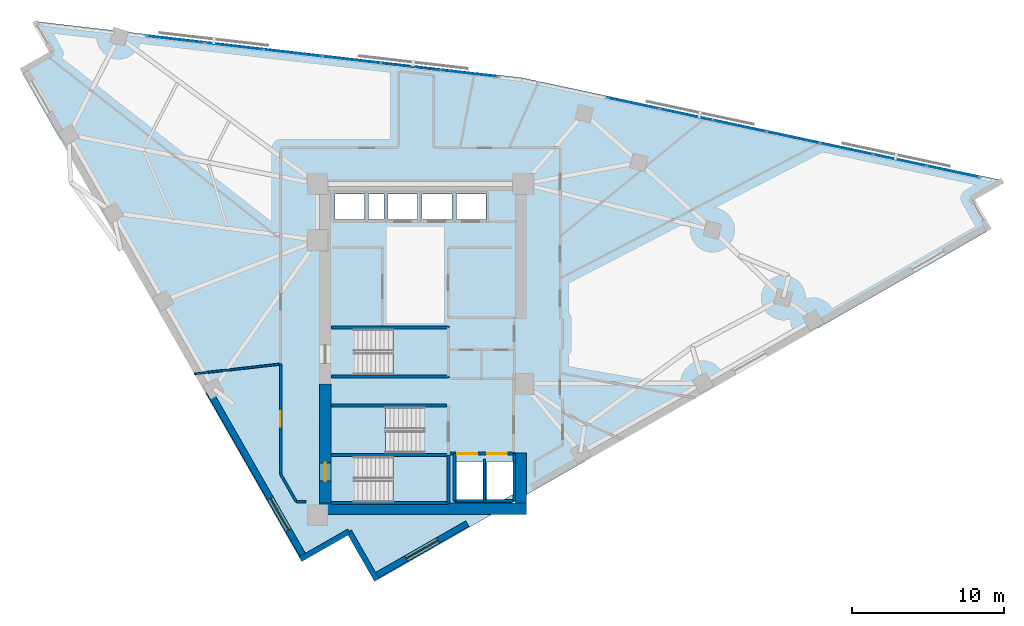
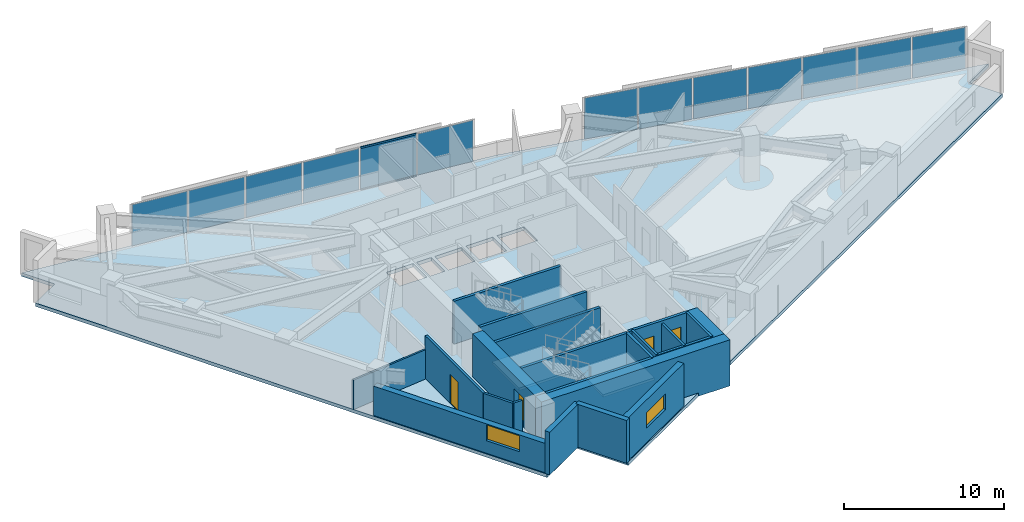
# One storey, part 8 of 13: 22 walls, 13 plates, 4 doors, 4 slabs, 2 members, 2 windows, 6 openings, 5 elements without a shape of their own.
"""IFC4 building model written with IfcOpenShell, lengths in metres."""

from ifc_helpers import new_model, si_unit, direction, frame, frame_2d, origin, origin_2d, place, context, subcontext, project, spatial, polyline, rectangle, hollow_rectangle, outline, extrude, material, layer, layer_set, material_profile, profile_set, type_object, element, fill, aggregate, save


model = new_model("IFC4")

# Units and contexts
model_context = context("Model", 3, precision=1e-05, world=origin(), true_north=direction((0.0, 1.0)))
body_context = subcontext(model_context, "Body", "Model", "MODEL_VIEW")
ifc_project = project(units=[si_unit("LENGTHUNIT", "METRE"), si_unit("AREAUNIT", "SQUARE_METRE"), si_unit("VOLUMEUNIT", "CUBIC_METRE"), si_unit("PLANEANGLEUNIT", "RADIAN"), si_unit("MASSUNIT", "GRAM", prefix="KILO")], contexts=[model_context])

# Site, building, storey
site_placement = place(None, origin())
site = spatial("IfcSite", under=ifc_project, at=site_placement, CompositionType="ELEMENT")
building_placement = place(site_placement, origin())
building = spatial("IfcBuilding", under=site, at=building_placement, Name="Narakoshi Arena Tower", CompositionType="ELEMENT")
storey_placement = place(building_placement, frame((0.0, 0.0, 229.06005859375)))
storey = spatial("IfcBuildingStorey", under=building, at=storey_placement, Name="L62", CompositionType="ELEMENT", Elevation=229.06005859375)

# Curtain wall, members
ifc_material_1 = material(Name="Anodised bronze aluminium 6063-T6", Category="aluminium")
curtain_wall_type = type_object("IfcCurtainWallType", Name="CW-HYP-MID", PredefinedType="NOTDEFINED", material=ifc_material_1)
curtain_wall_1_placement = place(storey_placement, origin())
curtain_wall_1 = element("IfcCurtainWall", 1, at=curtain_wall_1_placement, inside=storey, type_object=curtain_wall_type, Name="L62 Folded Hypotenuse Curtain Wall 2-1", PredefinedType="NOTDEFINED")
ifc_material_profile = material_profile(ifc_material_1, hollow_rectangle(XDim=0.06494140625, YDim=0.1298828125, WallThickness=0.00390625, OuterFilletRadius=0.0048828125, at=origin_2d()), Name="TRN130x65x4")
ifc_profile_set = profile_set([ifc_material_profile], Name="Anodised bronze aluminium 6063-T6")
member_type = type_object("IfcMemberType", Name="MEM-TRN-130", PredefinedType="USERDEFINED", material=ifc_profile_set)
member_1_placement = place(storey_placement, frame((80.032470703125, 64.002685546875, 0.032470703125), z_axis=(-0.993360986362, 0.115038909828, 0.0), x_axis=(-0.115038909828, -0.993360986362, 0.0)))
member_1 = element("IfcMember", 2, at=member_1_placement, type_object=member_type, Name="CW-02 transom 2.1", ObjectType="TRANSOM", PredefinedType="USERDEFINED", context=body_context, shape_type="SweptSolid", body=[
    extrude(hollow_rectangle(XDim=0.06494140625, YDim=0.1298828125, WallThickness=0.00390625, OuterFilletRadius=0.0048828125, at=origin_2d()), origin(), (0.0, 0.0, 1.0), 3.820068359375),
])
member_2_placement = place(storey_placement, frame((80.032470703125, 64.002685546875, 3.2275390625), z_axis=(-0.993360986362, 0.115038909828, 0.0), x_axis=(-0.115038909828, -0.993360986362, 0.0)))
member_2 = element("IfcMember", 3, at=member_2_placement, type_object=member_type, Name="CW-02 transom 2.2", ObjectType="TRANSOM", PredefinedType="USERDEFINED", context=body_context, shape_type="SweptSolid", body=[
    extrude(hollow_rectangle(XDim=0.06494140625, YDim=0.1298828125, WallThickness=0.00390625, OuterFilletRadius=0.0048828125, at=origin_2d()), origin(), (0.0, 0.0, 1.0), 3.820068359375),
])

# Curtain wall, plates
curtain_wall_2_placement = place(storey_placement, origin())
curtain_wall_2 = element("IfcCurtainWall", 4, at=curtain_wall_2_placement, inside=storey, type_object=curtain_wall_type, Name="L62 Folded Hypotenuse Curtain Wall 1-1", PredefinedType="NOTDEFINED")
ifc_material_2 = material(Name="Bronze-tinted low-E laminated glass", Category="glass")
ifc_layer_1 = layer(ifc_material_2, 0.0380859375)
ifc_layer_set_1 = layer_set([ifc_layer_1], Name="Bronze-tinted low-E laminated glass")
plate_type = type_object("IfcPlateType", Name="PLT-GLZ-38", PredefinedType="CURTAIN_PANEL", material=ifc_layer_set_1)
plate_1_placement = place(storey_placement, frame((113.835205078125, 57.3095703125, 0.06494140625), z_axis=(0.0, 0.0, 1.0), x_axis=(-0.977937185914, 0.208899163248, 0.0)))
plate_1 = element("IfcPlate", 5, at=plate_1_placement, type_object=plate_type, Name="CW-02 panel 1.1", PredefinedType="CURTAIN_PANEL", context=body_context, shape_type="SweptSolid", body=[
    extrude(rectangle(XDim=3.48095703125, YDim=0.0380859375, at=origin_2d()), origin(), (0.0, 0.0, 1.0), 3.1298828125),
])
plate_2_placement = place(storey_placement, frame((110.33935546875, 58.056396484375, 0.06494140625), z_axis=(0.0, 0.0, 1.0), x_axis=(-0.977937185914, 0.208899163248, 0.0)))
plate_2 = element("IfcPlate", 6, at=plate_2_placement, type_object=plate_type, Name="CW-02 panel 2.1", PredefinedType="CURTAIN_PANEL", context=body_context, shape_type="SweptSolid", body=[
    extrude(rectangle(XDim=3.518310546875, YDim=0.0380859375, at=origin_2d()), origin(), (0.0, 0.0, 1.0), 3.1298828125),
])
plate_3_placement = place(storey_placement, frame((106.8251953125, 58.806884765625, 0.06494140625), z_axis=(0.0, 0.0, 1.0), x_axis=(-0.977937185914, 0.208899163248, 0.0)))
plate_3 = element("IfcPlate", 7, at=plate_3_placement, type_object=plate_type, Name="CW-02 panel 3.1", PredefinedType="CURTAIN_PANEL", context=body_context, shape_type="SweptSolid", body=[
    extrude(rectangle(XDim=3.518310546875, YDim=0.0380859375, at=origin_2d()), origin(), (0.0, 0.0, 1.0), 3.1298828125),
])
plate_4_placement = place(storey_placement, frame((103.31103515625, 59.5576171875, 0.06494140625), z_axis=(0.0, 0.0, 1.0), x_axis=(-0.977937185914, 0.208899163248, 0.0)))
plate_4 = element("IfcPlate", 8, at=plate_4_placement, type_object=plate_type, Name="CW-02 panel 4.1", PredefinedType="CURTAIN_PANEL", context=body_context, shape_type="SweptSolid", body=[
    extrude(rectangle(XDim=3.518310546875, YDim=0.0380859375, at=origin_2d()), origin(), (0.0, 0.0, 1.0), 3.1298828125),
])
plate_5_placement = place(storey_placement, frame((99.796875, 60.308349609375, 0.06494140625), z_axis=(0.0, 0.0, 1.0), x_axis=(-0.977937185914, 0.208899163248, 0.0)))
plate_5 = element("IfcPlate", 9, at=plate_5_placement, type_object=plate_type, Name="CW-02 panel 5.1", PredefinedType="CURTAIN_PANEL", context=body_context, shape_type="SweptSolid", body=[
    extrude(rectangle(XDim=3.518310546875, YDim=0.0380859375, at=origin_2d()), origin(), (0.0, 0.0, 1.0), 3.1298828125),
])
plate_6_placement = place(storey_placement, frame((96.282958984375, 61.058837890625, 0.06494140625), z_axis=(0.0, 0.0, 1.0), x_axis=(-0.977937185914, 0.208899163248, 0.0)))
plate_6 = element("IfcPlate", 10, at=plate_6_placement, type_object=plate_type, Name="CW-02 panel 6.1", PredefinedType="CURTAIN_PANEL", context=body_context, shape_type="SweptSolid", body=[
    extrude(rectangle(XDim=3.518310546875, YDim=0.0380859375, at=origin_2d()), origin(), (0.0, 0.0, 1.0), 3.1298828125),
])
plate_7_placement = place(storey_placement, frame((92.787109375, 61.8056640625, 0.06494140625), z_axis=(0.0, 0.0, 1.0), x_axis=(-0.977937185914, 0.208899163248, 0.0)))
plate_7 = element("IfcPlate", 11, at=plate_7_placement, type_object=plate_type, Name="CW-02 panel 7.1", PredefinedType="CURTAIN_PANEL", context=body_context, shape_type="SweptSolid", body=[
    extrude(rectangle(XDim=3.48095703125, YDim=0.0380859375, at=origin_2d()), origin(), (0.0, 0.0, 1.0), 3.1298828125),
])
aggregate(curtain_wall_2, [plate_1, plate_2, plate_3, plate_4, plate_5, plate_6, plate_7])

# Plate
plate_8_placement = place(storey_placement, frame((81.985595703125, 63.776611328125, 0.06494140625), z_axis=(0.0, 0.0, 1.0), x_axis=(-0.993364183774, 0.115011296816, 0.0)))
plate_8 = element("IfcPlate", 12, at=plate_8_placement, type_object=plate_type, Name="CW-02 panel 1.1", PredefinedType="CURTAIN_PANEL", context=body_context, shape_type="SweptSolid", body=[
    extrude(rectangle(XDim=3.782470703125, YDim=0.0380859375, at=origin_2d()), origin(), (0.0, 0.0, 1.0), 3.1298828125),
])

plate_9_placement = place(storey_placement, frame((78.13525390625, 64.222412109375, 0.06494140625), z_axis=(0.0, 0.0, 1.0), x_axis=(-0.993364183774, 0.115011296816, 0.0)))
plate_9 = element("IfcPlate", 13, at=plate_9_placement, type_object=plate_type, Name="CW-02 panel 2.1", PredefinedType="CURTAIN_PANEL", context=body_context, shape_type="SweptSolid", body=[
    extrude(rectangle(XDim=3.820068359375, YDim=0.0380859375, at=origin_2d()), origin(), (0.0, 0.0, 1.0), 3.1298828125),
])

plate_10_placement = place(storey_placement, frame((74.26611328125, 64.67041015625, 0.06494140625), z_axis=(0.0, 0.0, 1.0), x_axis=(-0.993364183774, 0.115011296816, 0.0)))
plate_10 = element("IfcPlate", 14, at=plate_10_placement, type_object=plate_type, Name="CW-02 panel 3.1", PredefinedType="CURTAIN_PANEL", context=body_context, shape_type="SweptSolid", body=[
    extrude(rectangle(XDim=3.820068359375, YDim=0.0380859375, at=origin_2d()), origin(), (0.0, 0.0, 1.0), 3.1298828125),
])

plate_11_placement = place(storey_placement, frame((70.39697265625, 65.118408203125, 0.06494140625), z_axis=(0.0, 0.0, 1.0), x_axis=(-0.993364183774, 0.115011296816, 0.0)))
plate_11 = element("IfcPlate", 15, at=plate_11_placement, type_object=plate_type, Name="CW-02 panel 4.1", PredefinedType="CURTAIN_PANEL", context=body_context, shape_type="SweptSolid", body=[
    extrude(rectangle(XDim=3.820068359375, YDim=0.0380859375, at=origin_2d()), origin(), (0.0, 0.0, 1.0), 3.1298828125),
])

plate_12_placement = place(storey_placement, frame((66.52783203125, 65.56640625, 0.06494140625), z_axis=(0.0, 0.0, 1.0), x_axis=(-0.993364183774, 0.115011296816, 0.0)))
plate_12 = element("IfcPlate", 16, at=plate_12_placement, type_object=plate_type, Name="CW-02 panel 5.1", PredefinedType="CURTAIN_PANEL", context=body_context, shape_type="SweptSolid", body=[
    extrude(rectangle(XDim=3.820068359375, YDim=0.0380859375, at=origin_2d()), origin(), (0.0, 0.0, 1.0), 3.1298828125),
])

plate_13_placement = place(storey_placement, frame((62.67724609375, 66.01220703125, 0.06494140625), z_axis=(0.0, 0.0, 1.0), x_axis=(-0.993364183774, 0.115011296816, 0.0)))
plate_13 = element("IfcPlate", 17, at=plate_13_placement, type_object=plate_type, Name="CW-02 panel 6.1", PredefinedType="CURTAIN_PANEL", context=body_context, shape_type="SweptSolid", body=[
    extrude(rectangle(XDim=3.782470703125, YDim=0.0380859375, at=origin_2d()), origin(), (0.0, 0.0, 1.0), 3.1298828125),
])

aggregate(curtain_wall_1, [plate_8, member_1, member_2, plate_9, plate_10, plate_11, plate_12, plate_13])

# Stair, slab
ifc_material_3 = material(Name="Concrete C45/55", Category="concrete")
stair_type = type_object("IfcStairType", Name="STR-CORE-352", PredefinedType="TWO_STRAIGHT_RUN_STAIR", material=ifc_material_3)
stair_1_placement = place(storey_placement, origin())
stair_1 = element("IfcStair", 18, at=stair_1_placement, inside=storey, type_object=stair_type, Name="L62 Core Escape Stair ST1", PredefinedType="TWO_STRAIGHT_RUN_STAIR")
ifc_layer_2 = layer(ifc_material_3, 0.18994140625)
ifc_layer_set_2 = layer_set([ifc_layer_2], Name="Concrete C45/55")
slab_type_1 = type_object("IfcSlabType", Name="SLB-LND-190", PredefinedType="LANDING", material=ifc_layer_set_2)
slab_1_placement = place(storey_placement, frame((0.0, 0.0, 1.56982421875)))
slab_1 = element("IfcSlab", 19, at=slab_1_placement, type_object=slab_type_1, Name="ST1 landing 1", PredefinedType="LANDING", context=body_context, shape_type="SweptSolid", body=[
    extrude(outline(polyline([(76.965087890625, 35.3701171875), (80.679931640625, 35.3701171875), (80.679931640625, 38.72998046875), (76.965087890625, 38.72998046875), (76.965087890625, 35.3701171875)])), origin(), (0.0, 0.0, 1.0), 0.190185546875),
])
aggregate(stair_1, [slab_1])

stair_2_placement = place(storey_placement, origin())
stair_2 = element("IfcStair", 20, at=stair_2_placement, inside=storey, type_object=stair_type, Name="L62 Core Escape Stair ST2", PredefinedType="TWO_STRAIGHT_RUN_STAIR")
slab_2_placement = place(storey_placement, frame((0.0, 0.0, 1.56982421875)))
slab_2 = element("IfcSlab", 21, at=slab_2_placement, type_object=slab_type_1, Name="ST2 landing 1", PredefinedType="LANDING", context=body_context, shape_type="SweptSolid", body=[
    extrude(outline(polyline([(72.77001953125, 38.6201171875), (76.485107421875, 38.6201171875), (76.485107421875, 41.97998046875), (72.77001953125, 41.97998046875), (72.77001953125, 38.6201171875)])), origin(), (0.0, 0.0, 1.0), 0.190185546875),
])
aggregate(stair_2, [slab_2])

stair_3_placement = place(storey_placement, origin())
stair_3 = element("IfcStair", 22, at=stair_3_placement, inside=storey, type_object=stair_type, Name="L62 Core Escape Stair ST3", PredefinedType="TWO_STRAIGHT_RUN_STAIR")
slab_3_placement = place(storey_placement, frame((0.0, 0.0, 1.56982421875)))
slab_3 = element("IfcSlab", 23, at=slab_3_placement, type_object=slab_type_1, Name="ST3 landing 1", PredefinedType="LANDING", context=body_context, shape_type="SweptSolid", body=[
    extrude(outline(polyline([(76.965087890625, 43.77001953125), (80.679931640625, 43.77001953125), (80.679931640625, 47.1298828125), (76.965087890625, 47.1298828125), (76.965087890625, 43.77001953125)])), origin(), (0.0, 0.0, 1.0), 0.190185546875),
])
aggregate(stair_3, [slab_3])

# Slab
ifc_material_4 = material(Name="Concrete C50/60", Category="concrete")
ifc_layer_3 = layer(ifc_material_4, 0.260009765625)
ifc_layer_set_3 = layer_set([ifc_layer_3], Name="Concrete C50/60")
slab_type_2 = type_object("IfcSlabType", Name="SLB-SKY-260", PredefinedType="FLOOR", material=ifc_layer_set_3)
slab_4_placement = place(storey_placement, frame((0.0, 0.0, -0.260009765625)))
element("IfcSlab", 24, at=slab_4_placement, inside=storey, type_object=slab_type_2, Name="L62 Structural Floor Slab", PredefinedType="FLOOR", context=body_context, shape_type="SweptSolid", body=[
    extrude(outline(polyline([(75.915771484375, 30.43017578125), (116.209716796875, 53.460205078125), (115.01904296875, 55.54345703125), (117.1025390625, 56.734375), (85.442626953125, 63.497314453125), (53.408203125, 67.2060546875), (54.59912109375, 65.122802734375), (52.515625, 63.931884765625), (70.87841796875, 31.803466796875), (74.083740234375, 33.635498046875), (75.915771484375, 30.43017578125)]), holes=[polyline([(80.5, 35.550048828125), (74.47998046875, 35.550048828125), (74.47998046875, 38.550048828125), (80.5, 38.550048828125), (80.5, 35.550048828125)]), polyline([(82.89990234375, 35.75), (81.14990234375, 35.75), (81.14990234375, 38.25), (82.89990234375, 38.25), (82.89990234375, 35.75)]), polyline([(84.89990234375, 36.08349609375), (84.316650390625, 35.75), (83.14990234375, 35.75), (83.14990234375, 38.25), (84.89990234375, 38.25), (84.89990234375, 36.08349609375)]), polyline([(72.949951171875, 38.800048828125), (72.949951171875, 41.800048828125), (78.969970703125, 41.800048828125), (78.969970703125, 38.800048828125), (72.949951171875, 38.800048828125)]), polyline([(74.47998046875, 43.949951171875), (74.47998046875, 46.949951171875), (80.5, 46.949951171875), (80.5, 43.949951171875), (74.47998046875, 43.949951171875)]), polyline([(75.10009765625, 54.14990234375), (73.14990234375, 54.14990234375), (73.14990234375, 55.85009765625), (75.10009765625, 55.85009765625), (75.10009765625, 54.14990234375)]), polyline([(76.39990234375, 54.14990234375), (75.35009765625, 54.14990234375), (75.35009765625, 55.85009765625), (76.39990234375, 55.85009765625), (76.39990234375, 54.14990234375)]), polyline([(78.60009765625, 54.14990234375), (76.64990234375, 54.14990234375), (76.64990234375, 55.85009765625), (78.60009765625, 55.85009765625), (78.60009765625, 54.14990234375)]), polyline([(78.89990234375, 54.14990234375), (78.89990234375, 55.85009765625), (80.85009765625, 55.85009765625), (80.85009765625, 54.14990234375), (78.89990234375, 54.14990234375)]), polyline([(81.14990234375, 54.14990234375), (81.14990234375, 55.85009765625), (83.10009765625, 55.85009765625), (83.10009765625, 54.14990234375), (81.14990234375, 54.14990234375)])]), origin(), (0.0, 0.0, 1.0), 0.260009765625),
])

# Wall, opening, door
ifc_layer_4 = layer(ifc_material_4, 0.75)
ifc_layer_set_4 = layer_set([ifc_layer_4], Name="Concrete C50/60")
wall_type_1 = type_object("IfcWallType", Name="WL-CORE-750", PredefinedType="SHEAR", material=ifc_layer_set_4)
wall_1_placement = place(storey_placement, frame((72.52490234375, 35.5, -0.260009765625), z_axis=(0.0, 0.0, 1.0), x_axis=(0.0, 1.0, 0.0)))
wall_1 = element("IfcWall", 25, at=wall_1_placement, inside=storey, type_object=wall_type_1, Name="L62 Central Core Shear Wall CW-APX-W", PredefinedType="SHEAR", context=body_context, shape_type="SweptSolid", body=[
    extrude(rectangle(XDim=7.85009765625, YDim=0.75, at=frame_2d((3.925048828125, 0.0))), origin(), (0.0, 0.0, 1.0), 3.52001953125),
])
opening_1_placement = place(wall_1_placement, frame((1.449951171875, 0.0, 0.260009765625)))
opening_1 = element("IfcOpeningElement", 26, at=opening_1_placement, cuts=wall_1, Name="Opening D-03", PredefinedType="OPENING", context=body_context, shape_type="SweptSolid", body=[
    extrude(rectangle(XDim=1.199951171875, YDim=2.199951171875, at=frame_2d((0.60009765625, 1.10009765625))), frame((0.0, 0.385009765625, 0.0), z_axis=(0.0, -1.0, 0.0), x_axis=(1.0, 0.0, 0.0)), (0.0, 0.0, 1.0), 0.77001953125),
])
ifc_material_5 = material(Name="Painted galvanized steel", Category="steel")
door_type_1 = type_object("IfcDoorType", Name="DR-STR-1200", OperationType="NOTDEFINED", PredefinedType="USERDEFINED", material=ifc_material_5)
door_1_placement = place(opening_1_placement, frame((1.199951171875, 0.0, 0.0), z_axis=(0.0, 0.0, 1.0), x_axis=(-1.0, 0.0, 0.0)))
door_1 = element("IfcDoor", 27, at=door_1_placement, inside=storey, type_object=door_type_1, Name="DR-L62-001", ObjectType="EXITDOOR", OperationType="SINGLE_SWING_LEFT", OverallHeight=2.199951171875, OverallWidth=1.199951171875, PredefinedType="USERDEFINED", context=body_context, shape_type="SweptSolid", body=[
    extrude(rectangle(XDim=1.199951171875, YDim=2.199951171875, at=frame_2d((0.60009765625, 1.10009765625))), frame((0.0, 0.02490234375, 0.0), z_axis=(0.0, -1.0, 0.0), x_axis=(1.0, 0.0, 0.0)), (0.0, 0.0, 1.0), 0.050048828125),
])
fill(opening_1, door_1)

# Walls
wall_2_placement = place(storey_placement, frame((72.14990234375, 35.125, -0.260009765625), z_axis=(0.0, 0.0, 1.0), x_axis=(1.0, 0.0, 0.0)))
element("IfcWall", 28, at=wall_2_placement, inside=storey, type_object=wall_type_1, Name="L62 Central Core Shear Wall CW-APX-S", PredefinedType="SHEAR", context=body_context, shape_type="SweptSolid", body=[
    extrude(rectangle(XDim=13.60009765625, YDim=0.75, at=frame_2d((6.800048828125, 0.0))), origin(), (0.0, 0.0, 1.0), 3.52001953125),
])
wall_3_placement = place(storey_placement, frame((85.375, 35.5, -0.260009765625), z_axis=(0.0, 0.0, 1.0), x_axis=(0.0, 1.0, 0.0)))
element("IfcWall", 29, at=wall_3_placement, inside=storey, type_object=wall_type_1, Name="L62 Central Core Shear Wall CW-APX-E", PredefinedType="SHEAR", context=body_context, shape_type="SweptSolid", body=[
    extrude(rectangle(XDim=3.300048828125, YDim=0.75, at=frame_2d((1.64990234375, 0.0))), origin(), (0.0, 0.0, 1.0), 3.52001953125),
])

# Wall, opening, door
ifc_material_6 = material(Name="Gypsum plasterboard fire-rated partition")
ifc_layer_5 = layer(ifc_material_6, 0.1650390625)
ifc_layer_set_5 = layer_set([ifc_layer_5], Name="Gypsum plasterboard fire-rated partition")
wall_type_2 = type_object("IfcWallType", Name="WL-CORR-165", PredefinedType="PARTITIONING", material=ifc_layer_set_5)
wall_4_placement = place(storey_placement, frame((69.573486328125, 44.649658203125, 0.0), z_axis=(0.0, 0.0, 1.0), x_axis=(0.0, -1.0, 0.0)))
wall_4 = element("IfcWall", 30, at=wall_4_placement, inside=storey, type_object=wall_type_2, Name="L62 Corridor Partition 01-1", PredefinedType="PARTITIONING", context=body_context, shape_type="SweptSolid", body=[
    extrude(rectangle(XDim=7.238037109375, YDim=0.1650390625, at=frame_2d((3.619140625, 0.0))), origin(), (0.0, 0.0, 1.0), 3.260009765625),
])
opening_2_placement = place(wall_4_placement, frame((3.118896484375, 0.0, 0.0)))
opening_2 = element("IfcOpeningElement", 31, at=opening_2_placement, cuts=wall_4, Name="Opening D-06", PredefinedType="OPENING", context=body_context, shape_type="SweptSolid", body=[
    extrude(rectangle(XDim=1.0, YDim=2.199951171875, at=frame_2d((0.5, 1.10009765625))), frame((0.0, 0.092529296875, 0.0), z_axis=(0.0, -1.0, 0.0), x_axis=(1.0, 0.0, 0.0)), (0.0, 0.0, 1.0), 0.18505859375),
])
ifc_material_7 = material(Name="Stained oak solid-core timber", Category="wood")
door_type_2 = type_object("IfcDoorType", Name="DR-OFF-1000", OperationType="NOTDEFINED", PredefinedType="DOOR", material=ifc_material_7)
door_2_placement = place(opening_2_placement, frame((1.0, 0.0, 0.0), z_axis=(0.0, 0.0, 1.0), x_axis=(-1.0, 0.0, 0.0)))
door_2 = element("IfcDoor", 32, at=door_2_placement, inside=storey, type_object=door_type_2, Name="DR-L62-015", OperationType="SINGLE_SWING_RIGHT", OverallHeight=2.199951171875, OverallWidth=1.0, PredefinedType="DOOR", context=body_context, shape_type="SweptSolid", body=[
    extrude(rectangle(XDim=1.0, YDim=2.199951171875, at=frame_2d((0.5, 1.10009765625))), frame((0.0, 0.02490234375, 0.0), z_axis=(0.0, -1.0, 0.0), x_axis=(1.0, 0.0, 0.0)), (0.0, 0.0, 1.0), 0.050048828125),
])
fill(opening_2, door_2)

# Walls
wall_5_placement = place(storey_placement, frame((69.573486328125, 37.41162109375, 0.0), z_axis=(0.0, 0.0, 1.0), x_axis=(0.496315328589, -0.868142323935, 0.0)))
element("IfcWall", 33, at=wall_5_placement, inside=storey, type_object=wall_type_2, Name="L62 Corridor Partition 01-2", PredefinedType="PARTITIONING", context=body_context, shape_type="SweptSolid", body=[
    extrude(rectangle(XDim=2.086669921875, YDim=0.1650390625, at=frame_2d((1.04345703125, 0.0))), origin(), (0.0, 0.0, 1.0), 3.260009765625),
])
wall_6_placement = place(storey_placement, frame((70.609130859375, 35.60009765625, 0.0), z_axis=(0.0, 0.0, 1.0), x_axis=(1.0, 0.0, 0.0)))
element("IfcWall", 34, at=wall_6_placement, inside=storey, type_object=wall_type_2, Name="L62 Corridor Partition 01-3", PredefinedType="PARTITIONING", context=body_context, shape_type="SweptSolid", body=[
    extrude(rectangle(XDim=0.640869140625, YDim=0.1650390625, at=frame_2d((0.3203125, 0.0))), origin(), (0.0, 0.0, 1.0), 3.260009765625),
])
ifc_layer_6 = layer(ifc_material_6, 0.125)
ifc_layer_set_6 = layer_set([ifc_layer_6], Name="Gypsum plasterboard fire-rated partition")
wall_type_3 = type_object("IfcWallType", Name="WL-PART-125", PredefinedType="PARTITIONING", material=ifc_layer_set_6)
wall_7_placement = place(storey_placement, frame((63.905029296875, 44.00439453125, 0.0), z_axis=(0.0, 0.0, 1.0), x_axis=(0.993582932181, 0.113105954217, 0.0)))
element("IfcWall", 35, at=wall_7_placement, inside=storey, type_object=wall_type_3, Name="L62 Inter-Room Partition 01-09", PredefinedType="PARTITIONING", context=body_context, shape_type="SweptSolid", body=[
    extrude(rectangle(XDim=5.60986328125, YDim=0.125, at=frame_2d((2.804931640625, 0.0))), origin(), (0.0, 0.0, 1.0), 2.237060546875),
])

# Wall, opening, window
ifc_material_8 = material(Name="Precast concrete C45/55", Category="concrete")
ifc_layer_7 = layer(ifc_material_8, 0.419921875)
ifc_layer_set_7 = layer_set([ifc_layer_7], Name="Precast concrete C45/55")
wall_type_4 = type_object("IfcWallType", Name="WL-POD-420", PredefinedType="SOLIDWALL", material=ifc_layer_set_7)
wall_8_placement = place(storey_placement, frame((75.779296875, 30.6689453125, 0.0), z_axis=(0.0, 0.0, 1.0), x_axis=(0.868213158215, 0.496191406519, 0.0)))
wall_8 = element("IfcWall", 36, at=wall_8_placement, inside=storey, type_object=wall_type_4, Name="L62 Architectural Concrete Facade Wall LEGA-1", PredefinedType="SOLIDWALL", context=body_context, shape_type="SweptSolid", body=[
    extrude(rectangle(XDim=7.015380859375, YDim=0.419921875, at=frame_2d((3.5078125, 0.0))), origin(), (0.0, 0.0, 1.0), 3.260009765625),
])
opening_3_placement = place(wall_8_placement, frame((2.376708984375, 0.0, 1.10009765625)))
opening_3 = element("IfcOpeningElement", 37, at=opening_3_placement, cuts=wall_8, Name="Opening WN-04", PredefinedType="OPENING", context=body_context, shape_type="SweptSolid", body=[
    extrude(rectangle(XDim=2.39990234375, YDim=1.199951171875, at=frame_2d((1.199951171875, 0.60009765625))), frame((0.0, 0.219970703125, 0.0), z_axis=(0.0, -1.0, 0.0), x_axis=(1.0, 0.0, 0.0)), (0.0, 0.0, 1.0), 0.43994140625),
])
window_type = type_object("IfcWindowType", Name="WIN-SLT-24x12", PartitioningType="SINGLE_PANEL", PredefinedType="WINDOW", material=ifc_material_2)
window_1_placement = place(opening_3_placement, origin())
window_1 = element("IfcWindow", 38, at=window_1_placement, inside=storey, type_object=window_type, Name="L62 LEGA1 Horizontal Slot Window 1", OverallHeight=1.199951171875, OverallWidth=2.39990234375, PartitioningType="SINGLE_PANEL", PredefinedType="WINDOW", context=body_context, shape_type="SweptSolid", body=[
    extrude(rectangle(XDim=2.39990234375, YDim=1.199951171875, at=frame_2d((1.199951171875, 0.60009765625))), frame((0.0, 0.030029296875, 0.0), z_axis=(0.0, -1.0, 0.0), x_axis=(1.0, 0.0, 0.0)), (0.0, 0.0, 1.0), 0.06005859375),
])
fill(opening_3, window_1)

wall_9_placement = place(storey_placement, frame((64.873779296875, 42.863525390625, 0.0), z_axis=(0.0, 0.0, 1.0), x_axis=(0.49622043329, -0.868196568517, 0.0)))
wall_9 = element("IfcWall", 39, at=wall_9_placement, inside=storey, type_object=wall_type_4, Name="L62 Architectural Concrete Facade Wall LEGB-3", PredefinedType="SOLIDWALL", context=body_context, shape_type="SweptSolid", body=[
    extrude(rectangle(XDim=12.58203125, YDim=0.419921875, at=frame_2d((6.291015625, 0.0))), origin(), (0.0, 0.0, 1.0), 2.237060546875),
])
opening_4_placement = place(wall_9_placement, frame((8.135986328125, 0.0, 0.95703125)))
opening_4 = element("IfcOpeningElement", 40, at=opening_4_placement, cuts=wall_9, Name="Opening WN-04", PredefinedType="OPENING", context=body_context, shape_type="SweptSolid", body=[
    extrude(rectangle(XDim=2.39990234375, YDim=1.199951171875, at=frame_2d((1.199951171875, 0.60009765625))), frame((0.0, 0.219970703125, 0.0), z_axis=(0.0, -1.0, 0.0), x_axis=(1.0, 0.0, 0.0)), (0.0, 0.0, 1.0), 0.43994140625),
])
window_2_placement = place(opening_4_placement, origin())
window_2 = element("IfcWindow", 41, at=window_2_placement, inside=storey, type_object=window_type, Name="L62 LEGB3 Horizontal Slot Window 1", OverallHeight=1.199951171875, OverallWidth=2.39990234375, PartitioningType="SINGLE_PANEL", PredefinedType="WINDOW", context=body_context, shape_type="SweptSolid", body=[
    extrude(rectangle(XDim=2.39990234375, YDim=1.199951171875, at=frame_2d((1.199951171875, 0.60009765625))), frame((0.0, 0.030029296875, 0.0), z_axis=(0.0, -1.0, 0.0), x_axis=(1.0, 0.0, 0.0)), (0.0, 0.0, 1.0), 0.06005859375),
])
fill(opening_4, window_2)

# Walls
for number, where, z_axis, x_axis, name in (
    (42, (70.87841796875, 31.803466796875, 0.0), (0.0, 0.0, 1.0), (0.868194304946, 0.496224393656, 0.0), "L62 Re-Entrant Corner Notch Wall NTA-1"),
    (43, (74.083740234375, 33.635498046875, 0.0), (0.0, 0.0, 1.0), (0.496224393656, -0.868194304946, 0.0), "L62 Re-Entrant Corner Notch Wall NTA-2"),
):
    element("IfcWall", number, at=place(storey_placement, frame(where, z_axis=z_axis, x_axis=x_axis)), inside=storey, type_object=wall_type_4, Name=name, PredefinedType="SOLIDWALL", context=body_context, shape_type="SweptSolid", body=[
        extrude(rectangle(XDim=3.69189453125, YDim=0.360107421875, at=frame_2d((1.845947265625, 0.0))), origin(), (0.0, 0.0, 1.0), 3.260009765625),
    ])
ifc_material_9 = material(Name="Concrete C40/50", Category="concrete")
ifc_layer_8 = layer(ifc_material_9, 0.280029296875)
ifc_layer_set_8 = layer_set([ifc_layer_8], Name="Concrete C40/50")
wall_type_5 = type_object("IfcWallType", Name="WL-RISER-280", PredefinedType="PLUMBINGWALL", material=ifc_layer_set_8)
wall_10_placement = place(storey_placement, frame((83.0, 35.64990234375, 0.0), z_axis=(0.0, 0.0, 1.0), x_axis=(0.0, 1.0, 0.0)))
element("IfcWall", 44, at=wall_10_placement, inside=storey, type_object=wall_type_5, Name="L62 Core Wall FF-DIV", PredefinedType="PLUMBINGWALL", context=body_context, shape_type="SweptSolid", body=[
    extrude(rectangle(XDim=2.75, YDim=0.159912109375, at=frame_2d((1.375, 0.0))), origin(), (0.0, 0.0, 1.0), 3.260009765625),
])
ifc_layer_9 = layer(ifc_material_4, 0.35009765625)
ifc_layer_set_9 = layer_set([ifc_layer_9], Name="Concrete C50/60")
wall_type_6 = type_object("IfcWallType", Name="WL-SHAFT-350", PredefinedType="SOLIDWALL", material=ifc_layer_set_9)
for number, where, z_axis, x_axis, name in (
    (45, (72.919921875, 35.52001953125, -0.260009765625), (0.0, 0.0, 1.0), (1.0, 0.0, 0.0), "L62 Core Wall ST1-S"),
    (46, (72.919921875, 38.675048828125, -0.260009765625), (0.0, 0.0, 1.0), (1.0, 0.0, 0.0), "L62 Core Wall ST12-DIV"),
):
    element("IfcWall", number, at=place(storey_placement, frame(where, z_axis=z_axis, x_axis=x_axis)), inside=storey, type_object=wall_type_6, Name=name, PredefinedType="SOLIDWALL", context=body_context, shape_type="SweptSolid", body=[
        extrude(rectangle(XDim=7.7001953125, YDim=0.199951171875, at=frame_2d((3.85009765625, 0.0))), origin(), (0.0, 0.0, 1.0), 3.52001953125),
    ])
wall_11_placement = place(storey_placement, frame((80.6201171875, 35.52001953125, -0.260009765625), z_axis=(0.0, 0.0, 1.0), x_axis=(0.0, 1.0, 0.0)))
element("IfcWall", 47, at=wall_11_placement, inside=storey, type_object=wall_type_6, Name="L62 Core Wall ST1-E", PredefinedType="SOLIDWALL", context=body_context, shape_type="SweptSolid", body=[
    extrude(rectangle(XDim=3.155029296875, YDim=0.199951171875, at=frame_2d((1.57763671875, 0.0))), origin(), (0.0, 0.0, 1.0), 3.52001953125),
])

# Wall, openings, doors
wall_12_placement = place(storey_placement, frame((80.719970703125, 38.75, 0.0), z_axis=(0.0, 0.0, 1.0), x_axis=(1.0, 0.0, 0.0)))
wall_12 = element("IfcWall", 48, at=wall_12_placement, inside=storey, type_object=wall_type_6, Name="L62 Core Wall FF-N", PredefinedType="SOLIDWALL", context=body_context, shape_type="SweptSolid", body=[
    extrude(rectangle(XDim=4.260009765625, YDim=0.199951171875, at=frame_2d((2.1298828125, 0.0))), origin(), (0.0, 0.0, 1.0), 3.260009765625),
])
opening_5_placement = place(wall_12_placement, frame((0.5, 0.0, 0.0)))
opening_5 = element("IfcOpeningElement", 49, at=opening_5_placement, cuts=wall_12, Name="Opening LD-02", PredefinedType="OPENING", context=body_context, shape_type="SweptSolid", body=[
    extrude(rectangle(XDim=1.300048828125, YDim=2.300048828125, at=frame_2d((0.64990234375, 1.14990234375))), frame((0.0, 0.10986328125, 0.0), z_axis=(0.0, -1.0, 0.0), x_axis=(1.0, 0.0, 0.0)), (0.0, 0.0, 1.0), 0.219970703125),
])
opening_6_placement = place(wall_12_placement, frame((2.449951171875, 0.0, 0.0)))
opening_6 = element("IfcOpeningElement", 50, at=opening_6_placement, cuts=wall_12, Name="Opening LD-02", PredefinedType="OPENING", context=body_context, shape_type="SweptSolid", body=[
    extrude(rectangle(XDim=1.300048828125, YDim=2.300048828125, at=frame_2d((0.64990234375, 1.14990234375))), frame((0.0, 0.10986328125, 0.0), z_axis=(0.0, -1.0, 0.0), x_axis=(1.0, 0.0, 0.0)), (0.0, 0.0, 1.0), 0.219970703125),
])
ifc_material_10 = material(Name="Brushed bronze stainless steel", Category="steel")
door_type_3 = type_object("IfcDoorType", Name="DR-LFT-1300", OperationType="DOUBLE_DOOR_SLIDING", PredefinedType="DOOR", material=ifc_material_10)
door_3_placement = place(opening_5_placement, origin())
door_3 = element("IfcDoor", 51, at=door_3_placement, inside=storey, type_object=door_type_3, Name="DR-L62-003", OperationType="DOUBLE_DOOR_SLIDING", OverallHeight=2.300048828125, OverallWidth=1.300048828125, PredefinedType="DOOR", context=body_context, shape_type="SweptSolid", body=[
    extrude(rectangle(XDim=1.300048828125, YDim=2.300048828125, at=frame_2d((0.64990234375, 1.14990234375))), frame((0.0, 0.02490234375, 0.0), z_axis=(0.0, -1.0, 0.0), x_axis=(1.0, 0.0, 0.0)), (0.0, 0.0, 1.0), 0.050048828125),
])
fill(opening_5, door_3)
door_4_placement = place(opening_6_placement, origin())
door_4 = element("IfcDoor", 52, at=door_4_placement, inside=storey, type_object=door_type_3, Name="DR-L62-004", OperationType="DOUBLE_DOOR_SLIDING", OverallHeight=2.300048828125, OverallWidth=1.300048828125, PredefinedType="DOOR", context=body_context, shape_type="SweptSolid", body=[
    extrude(rectangle(XDim=1.300048828125, YDim=2.300048828125, at=frame_2d((0.64990234375, 1.14990234375))), frame((0.0, 0.02490234375, 0.0), z_axis=(0.0, -1.0, 0.0), x_axis=(1.0, 0.0, 0.0)), (0.0, 0.0, 1.0), 0.050048828125),
])
fill(opening_6, door_4)

# Walls
for number, where, z_axis, x_axis, name in (
    (53, (84.949951171875, 35.64990234375, 0.0), (0.0, 0.0, 1.0), (0.0, 1.0, 0.0), "L62 Core Wall FF-E"),
    (54, (81.02001953125, 35.64990234375, 0.0), (0.0, 0.0, 1.0), (0.0, 1.0, 0.0), "L62 Core Wall FF-W"),
):
    element("IfcWall", number, at=place(storey_placement, frame(where, z_axis=z_axis, x_axis=x_axis)), inside=storey, type_object=wall_type_6, Name=name, PredefinedType="SOLIDWALL", context=body_context, shape_type="SweptSolid", body=[
        extrude(rectangle(XDim=3.10009765625, YDim=0.179931640625, at=frame_2d((1.550048828125, 0.0))), origin(), (0.0, 0.0, 1.0), 3.260009765625),
    ])
wall_13_placement = place(storey_placement, frame((81.02001953125, 35.64990234375, 0.0), z_axis=(0.0, 0.0, 1.0), x_axis=(1.0, 0.0, 0.0)))
element("IfcWall", 55, at=wall_13_placement, inside=storey, type_object=wall_type_6, Name="L62 Core Wall FF-S", PredefinedType="SOLIDWALL", context=body_context, shape_type="SweptSolid", body=[
    extrude(rectangle(XDim=3.929931640625, YDim=0.179931640625, at=frame_2d((1.96484375, 0.0))), origin(), (0.0, 0.0, 1.0), 3.260009765625),
])
wall_14_placement = place(storey_placement, frame((72.919921875, 41.919921875, -0.260009765625), z_axis=(0.0, 0.0, 1.0), x_axis=(1.0, 0.0, 0.0)))
element("IfcWall", 56, at=wall_14_placement, inside=storey, type_object=wall_type_6, Name="L62 Core Wall ST2-N", PredefinedType="SOLIDWALL", context=body_context, shape_type="SweptSolid", body=[
    extrude(rectangle(XDim=7.580078125, YDim=0.199951171875, at=frame_2d((3.7900390625, 0.0))), origin(), (0.0, 0.0, 1.0), 3.52001953125),
])
for number, where, z_axis, x_axis, name in (
    (57, (72.919921875, 43.830078125, -0.260009765625), (0.0, 0.0, 1.0), (1.0, 0.0, 0.0), "L62 Core Wall ST3-S"),
    (58, (72.919921875, 47.070068359375, -0.260009765625), (0.0, 0.0, 1.0), (1.0, 0.0, 0.0), "L62 Core Wall ST3-N"),
):
    element("IfcWall", number, at=place(storey_placement, frame(where, z_axis=z_axis, x_axis=x_axis)), inside=storey, type_object=wall_type_6, Name=name, PredefinedType="SOLIDWALL", context=body_context, shape_type="SweptSolid", body=[
        extrude(rectangle(XDim=7.7001953125, YDim=0.199951171875, at=frame_2d((3.85009765625, 0.0))), origin(), (0.0, 0.0, 1.0), 3.52001953125),
    ])

save(model, "model.ifc")
